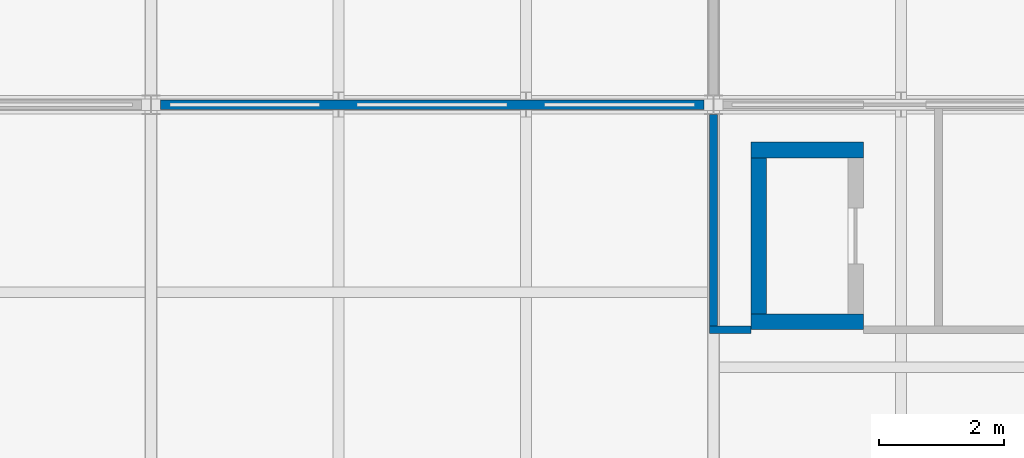
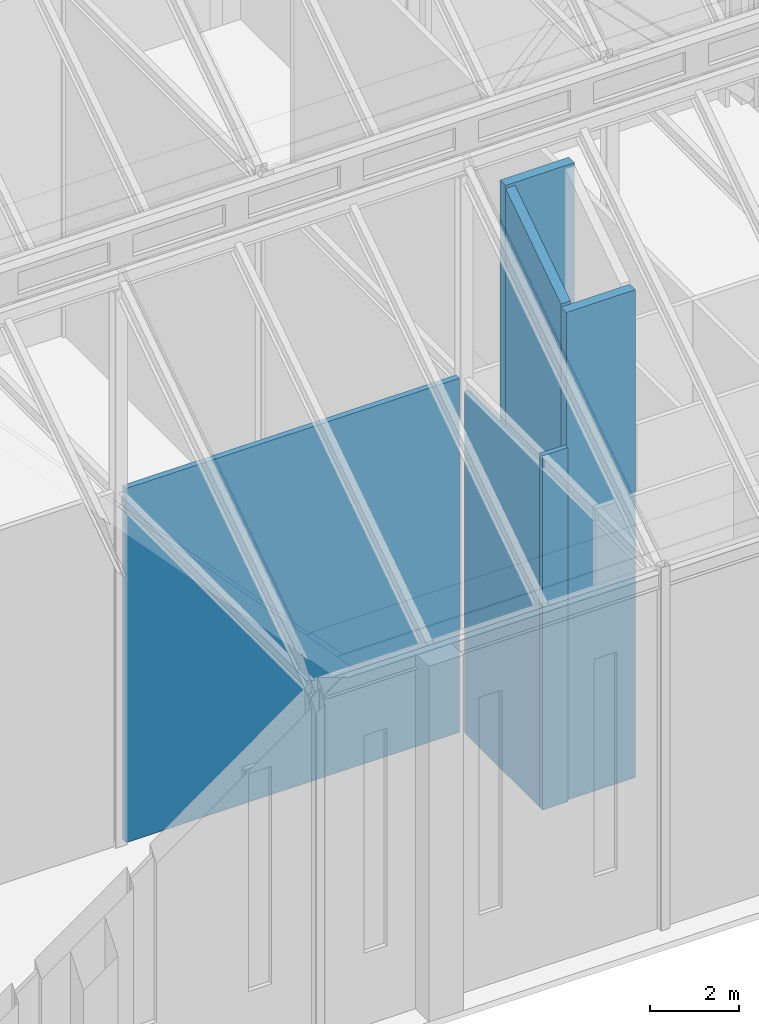
# One storey, part 88 of 111: 6 walls.
"""IFC4 building model written with IfcOpenShell, lengths in metres."""

import ifcopenshell
import ifcopenshell.guid

model = None  # the IFC model being written
_history = None  # IfcOwnerHistory: only IFC2X3 demands one
_inside = {}  # id of a spatial element -> (the spatial element, [elements in it])
_under = {}  # id of a project, library or spatial element -> (it, [spatial elements below it])
_declared = {}  # id of a project -> (the project, [libraries it declares])
_typed = {}  # id of a type object -> (the type object, [elements of that type])
_made_of = {}  # id of a material, layer set ... -> (it, [elements and type objects made of it])


def new_model(schema):
    """Start an empty IFC model of exactly this schema.

    Asked for "IFC4X3", IfcOpenShell would pick the latest addendum, in which some entities
    have other attributes; the version numbers below select the first issue.
    IFC2X3 requires an IfcOwnerHistory on every rooted entity: one is made here for all.
    """
    global model, _history
    if schema == "IFC4X3":
        model = ifcopenshell.file(schema_version=(4, 3, 0, 0))
    else:
        model = ifcopenshell.file(schema=schema)
    _inside.clear()
    _under.clear()
    _declared.clear()
    _typed.clear()
    _made_of.clear()
    _history = None
    if model.schema == "IFC2X3":
        org = make("IfcOrganization", Name="unknown")
        user = make(
            "IfcPersonAndOrganization",
            ThePerson=make("IfcPerson", FamilyName="unknown"),
            TheOrganization=org,
        )
        app = make(
            "IfcApplication",
            ApplicationDeveloper=org,
            Version="unknown",
            ApplicationFullName="unknown",
            ApplicationIdentifier="unknown",
        )
        _history = make(
            "IfcOwnerHistory",
            OwningUser=user,
            OwningApplication=app,
            ChangeAction="ADDED",
            CreationDate=0,
        )
    return model


def make(cls, **values):
    """One entity of the class cls with the attributes given. An attribute that is None is left unset."""
    return model.create_entity(
        cls, **{name: value for name, value in values.items() if value is not None}
    )


def rooted(cls, **values):
    """An entity with a GlobalId (a new one), such as an element, a storey or a relation."""
    return make(cls, GlobalId=ifcopenshell.guid.new(), OwnerHistory=_history, **values)


def si_unit(unit_type, name, prefix=None):
    """IfcSIUnit, for example si_unit("LENGTHUNIT", "METRE", prefix="MILLI")."""
    return make("IfcSIUnit", UnitType=unit_type, Prefix=prefix, Name=name)


def assignment(units):
    """IfcUnitAssignment: the units of a project."""
    return None if units is None else make("IfcUnitAssignment", Units=units)


def point(xyz):
    """IfcCartesianPoint."""
    return None if xyz is None else make("IfcCartesianPoint", Coordinates=xyz)


def direction(xyz):
    """IfcDirection."""
    return None if xyz is None else make("IfcDirection", DirectionRatios=xyz)


def frame(location, z_axis=None, x_axis=None):
    """IfcAxis2Placement3D, a coordinate frame: its origin and axes. An axis left out is left unset."""
    return make(
        "IfcAxis2Placement3D",
        Location=point(location),
        Axis=direction(z_axis),
        RefDirection=direction(x_axis),
    )


def frame_2d(location, x_axis=None):
    """IfcAxis2Placement2D, a coordinate frame in the plane: its origin and x axis."""
    return make(
        "IfcAxis2Placement2D", Location=point(location), RefDirection=direction(x_axis)
    )


def origin():
    """The frame at (0, 0, 0) with its axes left unset."""
    return frame((0.0, 0.0, 0.0))


def place(relative_to, where):
    """IfcLocalPlacement: puts the frame where relative to a parent placement (None: the world)."""
    return make(
        "IfcLocalPlacement", PlacementRelTo=relative_to, RelativePlacement=where
    )


def context(
    kind, dimensions, precision=None, world=None, true_north=None, identifier=None
):
    """IfcGeometricRepresentationContext, for example the 3D "Model" context."""
    return make(
        "IfcGeometricRepresentationContext",
        ContextIdentifier=identifier,
        ContextType=kind,
        CoordinateSpaceDimension=dimensions,
        Precision=precision,
        WorldCoordinateSystem=world,
        TrueNorth=true_north,
    )


def subcontext(parent, identifier, kind, view, scale=None):
    """IfcGeometricRepresentationSubContext, for example "Body" below "Model"."""
    return make(
        "IfcGeometricRepresentationSubContext",
        ContextIdentifier=identifier,
        ContextType=kind,
        ParentContext=parent,
        TargetScale=scale,
        TargetView=view,
    )


def project(units=None, contexts=None):
    """IfcProject with its units and contexts."""
    return rooted(
        "IfcProject",
        Name="project",
        RepresentationContexts=contexts,
        UnitsInContext=assignment(units),
    )


def spatial(cls, under=None, at=None, **own):
    """A site, building, storey or space (cls), placed at a placement, below another one or the project."""
    s = rooted(cls, ObjectPlacement=at, **own)
    if under is not None:
        _under.setdefault(under.id(), (under, []))[1].append(s)
    return s


def polyline(points):
    """IfcPolyline through the points."""
    return make("IfcPolyline", Points=[point(p) for p in points])


def profile(cls, at=None, kind="AREA", **sizes):
    """A parametric profile (cls). Its sizes go by their IFC names, for example OverallWidth=200.0."""
    return make(cls, ProfileType=kind, Position=at, **sizes)


def rectangle(**sizes):
    """IfcRectangleProfileDef."""
    return profile("IfcRectangleProfileDef", **sizes)


def outline(outer, holes=None, kind="AREA"):
    """IfcArbitraryClosedProfileDef: a profile drawn as a closed curve; with holes, ...WithVoids."""
    if holes is None:
        return make("IfcArbitraryClosedProfileDef", ProfileType=kind, OuterCurve=outer)
    return make(
        "IfcArbitraryProfileDefWithVoids",
        ProfileType=kind,
        OuterCurve=outer,
        InnerCurves=holes,
    )


def extrude(swept, where, along, depth):
    """IfcExtrudedAreaSolid: the profile swept, set in the frame where, extruded along a direction by depth."""
    return make(
        "IfcExtrudedAreaSolid",
        SweptArea=swept,
        Position=where,
        ExtrudedDirection=direction(along),
        Depth=depth,
    )


def shape(context_of_items, identifier, shape_type, items):
    """IfcShapeRepresentation: the items that make up one representation, for example the "Body"."""
    return make(
        "IfcShapeRepresentation",
        ContextOfItems=context_of_items,
        RepresentationIdentifier=identifier,
        RepresentationType=shape_type,
        Items=items,
    )


def material(Name=None, Category=None):
    """IfcMaterial."""
    return make("IfcMaterial", Name=Name, Category=Category)


def layer(
    of_material, thickness, ventilated=None, Name=None, Category=None, Priority=None
):
    """IfcMaterialLayer: one layer of a wall or slab, of a material (None: an air gap)."""
    return make(
        "IfcMaterialLayer",
        Material=of_material,
        LayerThickness=thickness,
        IsVentilated=ventilated,
        Name=Name,
        Category=Category,
        Priority=Priority,
    )


def layer_set(layers, Name=None):
    """IfcMaterialLayerSet."""
    return make("IfcMaterialLayerSet", MaterialLayers=layers, LayerSetName=Name)


def made_of(thing, what):
    """Note that an element or type object is made of a material, layer set ...; save() writes the relation."""
    if what is not None:
        _made_of.setdefault(what.id(), (what, []))[1].append(thing)
    return thing


def type_object(cls, material=None, **own):
    """A type object (cls), such as IfcWallType, which elements share."""
    return made_of(rooted(cls, **own), material)


def element(
    cls,
    number,
    at=None,
    inside=None,
    cuts=None,
    type_object=None,
    material=None,
    context=None,
    identifier="Body",
    shape_type=None,
    held_by="IfcProductDefinitionShape",
    body=None,
    shapes=None,
    **own,
):
    """One element of the class cls, such as IfcWall. Its Tag is "e" and its number.

    at: its placement. inside: the storey or other place that contains it. cuts: it is an
    opening in that element (IfcRelVoidsElement). A single representation is given by context,
    identifier, shape_type and body (its items); several are given by shapes. held_by: the class
    of the entity that holds the representations. save() writes the other relations.
    """
    e = rooted(cls, Tag="e%d" % number, ObjectPlacement=at, **own)
    if body is not None:
        shapes = [shape(context, identifier, shape_type, body)]
    if shapes is not None:
        e.Representation = make(held_by, Representations=shapes)
    if inside is not None:
        _inside.setdefault(inside.id(), (inside, []))[1].append(e)
    if cuts is not None:
        rooted(
            "IfcRelVoidsElement", RelatingBuildingElement=cuts, RelatedOpeningElement=e
        )
    if type_object is not None:
        _typed.setdefault(type_object.id(), (type_object, []))[1].append(e)
    return made_of(e, material)


def aggregate(whole, parts):
    """IfcRelAggregates: a whole, such as a stair, and the parts it consists of."""
    return rooted("IfcRelAggregates", RelatingObject=whole, RelatedObjects=parts)


def save(model, path):
    """Write the relations noted so far, then the file.

    IfcRelAggregates (storeys below a building ...), IfcRelContainedInSpatialStructure (elements
    in a storey), IfcRelDefinesByType, IfcRelAssociatesMaterial and IfcRelDeclares: one each for
    every whole, place, type object, material and project.
    """
    for whole, parts in _under.values():
        aggregate(whole, parts)
    for where, things in _inside.values():
        rooted(
            "IfcRelContainedInSpatialStructure",
            RelatedElements=things,
            RelatingStructure=where,
        )
    for kind, things in _typed.values():
        rooted("IfcRelDefinesByType", RelatedObjects=things, RelatingType=kind)
    for what, things in _made_of.values():
        rooted("IfcRelAssociatesMaterial", RelatedObjects=things, RelatingMaterial=what)
    for by, libraries in _declared.values():
        rooted("IfcRelDeclares", RelatingContext=by, RelatedDefinitions=libraries)
    model.write(path)


model = new_model("IFC4")

# Units and contexts
model_context = context("Model", 3, precision=1e-05, world=origin(), true_north=direction((0.0, 1.0)))
body_context = subcontext(model_context, "Body", "Model", "MODEL_VIEW")
ifc_project = project(units=[si_unit("LENGTHUNIT", "METRE"), si_unit("AREAUNIT", "SQUARE_METRE"), si_unit("VOLUMEUNIT", "CUBIC_METRE"), si_unit("PLANEANGLEUNIT", "RADIAN"), si_unit("MASSUNIT", "GRAM", prefix="KILO")], contexts=[model_context])

# Site, building, storey
site_placement = place(None, origin())
site = spatial("IfcSite", under=ifc_project, at=site_placement, CompositionType="ELEMENT")
building_placement = place(site_placement, origin())
building = spatial("IfcBuilding", under=site, at=building_placement, Name="Shorebreak Coast Museum", CompositionType="ELEMENT")
storey_placement = place(building_placement, frame((0.0, 0.0, 16.0)))
storey = spatial("IfcBuildingStorey", under=building, at=storey_placement, Name="L03", CompositionType="ELEMENT", Elevation=16.0)

# Walls
ifc_material_1 = material(Name="Plasterboard on steel stud", Category="steel")
ifc_layer_1 = layer(ifc_material_1, 0.14990234375)
ifc_layer_set_1 = layer_set([ifc_layer_1], Name="Plasterboard on steel stud")
wall_type_1 = type_object("IfcWallType", Name="Fire partition 150", PredefinedType="PARTITIONING", material=ifc_layer_set_1)
wall_1_placement = place(storey_placement, frame((144.152587890625, 63.0, 0.0), z_axis=(0.0, 0.0, 1.0), x_axis=(1.0, 0.0, 0.0)))
element("IfcWall", 1, at=wall_1_placement, inside=storey, type_object=wall_type_1, Name="Partition L03-008", PredefinedType="PARTITIONING", context=body_context, shape_type="SweptSolid", body=[
    extrude(rectangle(XDim=8.69482421875, YDim=0.14990234375, at=frame_2d((4.347412109375, 0.0))), origin(), (0.0, 0.0, 1.0), 9.760009765625),
])
ifc_material_2 = material(Name="Plasterboard on steel stud", Category="steel")
ifc_layer_2 = layer(ifc_material_2, 0.125)
ifc_layer_set_2 = layer_set([ifc_layer_2], Name="Plasterboard on steel stud")
wall_type_2 = type_object("IfcWallType", Name="Partition 125", PredefinedType="PARTITIONING", material=ifc_layer_set_2)
wall_2_placement = place(storey_placement, frame((152.9375, 59.39990234375, 0.0), z_axis=(0.0, 0.0, 1.0), x_axis=(1.0, 0.0, 0.0)))
element("IfcWall", 2, at=wall_2_placement, inside=storey, type_object=wall_type_2, Name="Partition L03-002", PredefinedType="PARTITIONING", context=body_context, shape_type="SweptSolid", body=[
    extrude(rectangle(XDim=0.66259765625, YDim=0.125, at=frame_2d((0.331298828125, 0.0))), origin(), (0.0, 0.0, 1.0), 9.760009765625),
])
wall_3_placement = place(storey_placement, frame((153.0, 59.46240234375, 0.0), z_axis=(0.0, 0.0, 1.0), x_axis=(0.0, 1.0, 0.0)))
element("IfcWall", 3, at=wall_3_placement, inside=storey, type_object=wall_type_2, Name="Partition L03-078", PredefinedType="PARTITIONING", context=body_context, shape_type="SweptSolid", body=[
    extrude(rectangle(XDim=3.383544921875, YDim=0.125, at=frame_2d((1.69189453125, 0.0))), origin(), (0.0, 0.0, 1.0), 9.40771484375),
])
ifc_material_3 = material(Name="Concrete N50 (50 MPa)", Category="concrete")
ifc_layer_3 = layer(ifc_material_3, 0.25)
ifc_layer_set_3 = layer_set([ifc_layer_3], Name="Concrete N50 (50 MPa)")
wall_type_3 = type_object("IfcWallType", Name="RC riser wall 250", PredefinedType="STANDARD", material=ifc_layer_set_3)
wall_4_placement = place(storey_placement, frame((153.60009765625, 59.52490234375, 0.0), z_axis=(0.0, 0.0, 1.0), x_axis=(1.0, 0.0, 0.0)))
element("IfcWall", 4, at=wall_4_placement, inside=storey, type_object=wall_type_3, Name="Riser wall R-WC-E L03 S", PredefinedType="STANDARD", context=body_context, shape_type="SweptSolid", body=[
    extrude(rectangle(XDim=1.7998046875, YDim=0.25, at=frame_2d((0.89990234375, 0.0))), origin(), (0.0, 0.0, 1.0), 13.443115234375),
])
wall_5_placement = place(storey_placement, frame((153.60009765625, 62.27490234375, 0.0), z_axis=(0.0, 0.0, 1.0), x_axis=(1.0, 0.0, 0.0)))
element("IfcWall", 5, at=wall_5_placement, inside=storey, type_object=wall_type_3, Name="Riser wall R-WC-E L03 N", PredefinedType="STANDARD", context=body_context, shape_type="SweptSolid", body=[
    extrude(rectangle(XDim=1.7998046875, YDim=0.25, at=frame_2d((0.89990234375, 0.0))), origin(), (0.0, 0.0, 1.0), 15.2763671875),
])
wall_6_placement = place(storey_placement, frame((153.72509765625, 59.64990234375, 0.0), z_axis=(0.0, 0.0, 1.0), x_axis=(0.0, 1.0, 0.0)))
element("IfcWall", 6, at=wall_6_placement, inside=storey, type_object=wall_type_3, Name="Riser wall R-WC-E L03 W", PredefinedType="STANDARD", context=body_context, shape_type="SweptSolid", body=[
    extrude(outline(polyline([(0.0, 0.0), (2.5, 0.0), (2.5, 15.193115234375), (0.0, 13.5263671875), (0.0, 0.0)])), frame((0.0, 0.125, 0.0), z_axis=(0.0, -1.0, 0.0), x_axis=(1.0, 0.0, 0.0)), (0.0, 0.0, 1.0), 0.25),
])

save(model, "model.ifc")
